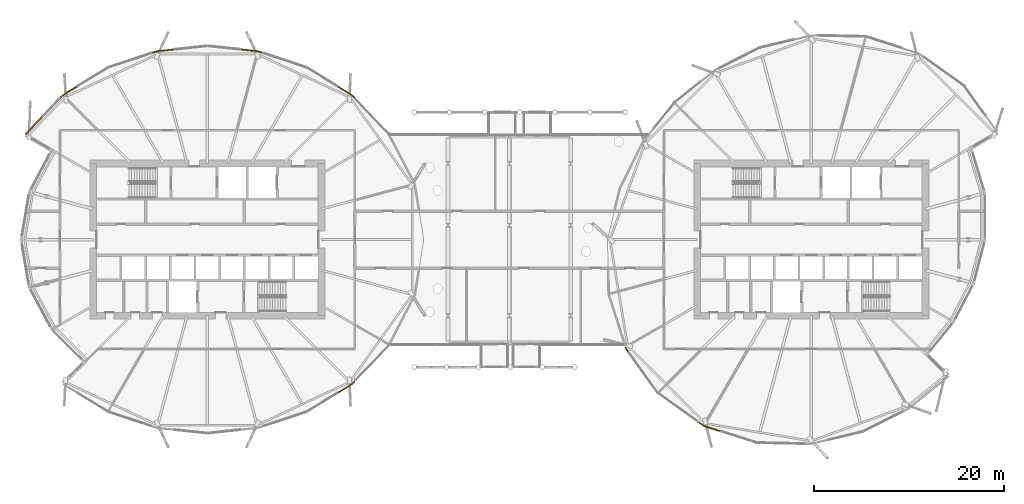
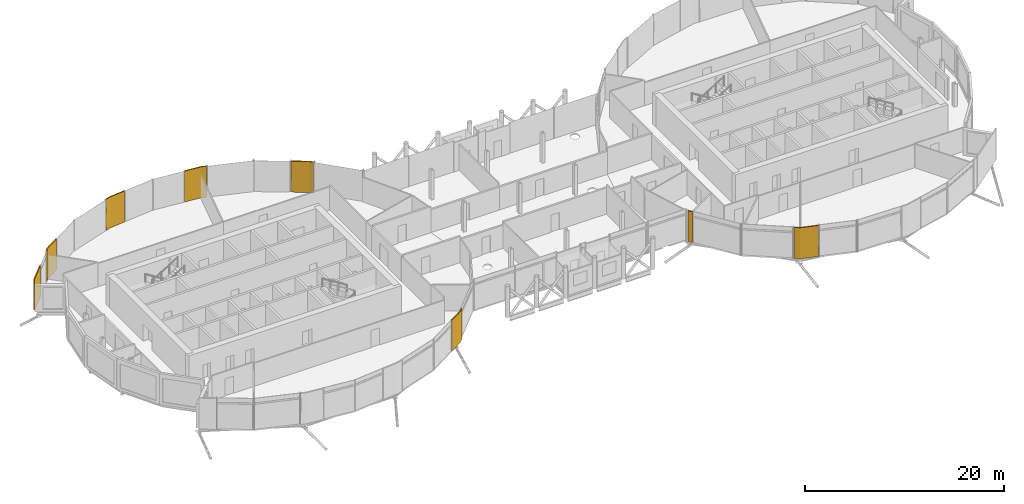
# One storey, part 37 of 39: 8 coverings.
"""IFC4 building model written with IfcOpenShell, lengths in metres."""

from ifc_helpers import new_model, si_unit, direction, frame, origin, place, context, subcontext, project, spatial, polyline, outline, extrude, material, layer, layer_set, type_object, element, save


model = new_model("IFC4")

# Units and contexts
model_context = context("Model", 3, precision=1e-05, world=origin(), true_north=direction((0.0, 1.0)))
body_context = subcontext(model_context, "Body", "Model", "MODEL_VIEW")
ifc_project = project(units=[si_unit("LENGTHUNIT", "METRE"), si_unit("AREAUNIT", "SQUARE_METRE"), si_unit("VOLUMEUNIT", "CUBIC_METRE"), si_unit("PLANEANGLEUNIT", "RADIAN"), si_unit("MASSUNIT", "GRAM", prefix="KILO")], contexts=[model_context])

# Site, building, storey
site_placement = place(None, origin())
site = spatial("IfcSite", under=ifc_project, at=site_placement, CompositionType="ELEMENT")
building_placement = place(site_placement, origin())
building = spatial("IfcBuilding", under=site, at=building_placement, Name="Rimbun Link Towers", CompositionType="ELEMENT")
storey_placement = place(building_placement, frame((0.0, 0.0, 143.0)))
storey = spatial("IfcBuildingStorey", under=building, at=storey_placement, Name="L34", CompositionType="ELEMENT", Elevation=143.0)

# Coverings
ifc_material = material(Name="Terracotta", Category="masonry")
ifc_layer = layer(ifc_material, 0.1201171875)
ifc_layer_set = layer_set([ifc_layer], Name="LINK PIER terracotta cladding 120")
covering_type = type_object("IfcCoveringType", Name="LINK PIER terracotta cladding 120", PredefinedType="CLADDING", material=ifc_layer_set)
covering_1_placement = place(storey_placement, origin())
element("IfcCovering", 1, at=covering_1_placement, inside=storey, type_object=covering_type, Name="LINK PIER cladding", PredefinedType="CLADDING", context=body_context, shape_type="SweptSolid", body=[
    extrude(outline(polyline([(-18.104248046875, 16.080322265625), (-16.595703125, 15.154296875), (-16.23583984375, 14.77880859375), (-16.1494140625, 14.86181640625), (-16.519775390625, 15.248291015625), (-18.04150390625, 16.1826171875), (-18.104248046875, 16.080322265625)])), origin(), (0.0, 0.0, 1.0), 3.800048828125),
])
covering_2_placement = place(storey_placement, origin())
element("IfcCovering", 2, at=covering_2_placement, inside=storey, type_object=covering_type, Name="LINK PIER cladding", PredefinedType="CLADDING", context=body_context, shape_type="SweptSolid", body=[
    extrude(outline(polyline([(-28.265869140625, 19.94873046875), (-26.455810546875, 19.758056640625), (-25.914794921875, 19.57861328125), (-25.877197265625, 19.692626953125), (-26.430419921875, 19.8759765625), (-28.25341796875, 20.06787109375), (-28.265869140625, 19.94873046875)])), origin(), (0.0, 0.0, 1.0), 3.800048828125),
])
covering_3_placement = place(storey_placement, origin())
element("IfcCovering", 3, at=covering_3_placement, inside=storey, type_object=covering_type, Name="LINK PIER cladding", PredefinedType="CLADDING", context=body_context, shape_type="SweptSolid", body=[
    extrude(outline(polyline([(-37.585205078125, 19.57861328125), (-37.044189453125, 19.758056640625), (-35.234130859375, 19.94873046875), (-35.24658203125, 20.06787109375), (-37.069580078125, 19.8759765625), (-37.622802734375, 19.692626953125), (-37.585205078125, 19.57861328125)])), origin(), (0.0, 0.0, 1.0), 3.800048828125),
])
covering_4_placement = place(storey_placement, origin())
element("IfcCovering", 4, at=covering_4_placement, inside=storey, type_object=covering_type, Name="LINK PIER cladding", PredefinedType="CLADDING", context=body_context, shape_type="SweptSolid", body=[
    extrude(outline(polyline([(-50.8359375, 11.052978515625), (-49.043701171875, 12.922607421875), (-49.13037109375, 13.005615234375), (-50.922607421875, 11.135986328125), (-50.8359375, 11.052978515625)])), origin(), (0.0, 0.0, 1.0), 3.800048828125),
])
covering_5_placement = place(storey_placement, origin())
element("IfcCovering", 5, at=covering_5_placement, inside=storey, type_object=covering_type, Name="LINK PIER cladding", PredefinedType="CLADDING", context=body_context, shape_type="SweptSolid", body=[
    extrude(outline(polyline([(-47.26416015625, 14.77880859375), (-46.904296875, 15.154296875), (-45.353271484375, 16.1064453125), (-45.416015625, 16.208740234375), (-46.980224609375, 15.248291015625), (-47.3505859375, 14.86181640625), (-47.26416015625, 14.77880859375)])), origin(), (0.0, 0.0, 1.0), 3.800048828125),
])
covering_6_placement = place(storey_placement, origin())
element("IfcCovering", 6, at=covering_6_placement, inside=storey, type_object=covering_type, Name="LINK PIER cladding", PredefinedType="CLADDING", context=body_context, shape_type="SweptSolid", body=[
    extrude(outline(polyline([(-16.23583984375, -14.77880859375), (-16.595703125, -15.154296875), (-18.104248046875, -16.080322265625), (-18.04150390625, -16.1826171875), (-16.519775390625, -15.248291015625), (-16.1494140625, -14.86181640625), (-16.23583984375, -14.77880859375)])), origin(), (0.0, 0.0, 1.0), 3.800048828125),
])
covering_7_placement = place(storey_placement, origin())
element("IfcCovering", 7, at=covering_7_placement, inside=storey, type_object=covering_type, Name="LINK PIER cladding", PredefinedType="CLADDING", context=body_context, shape_type="SweptSolid", body=[
    extrude(outline(polyline([(12.54296875, -11.744140625), (12.228271484375, -11.305419921875), (12.130615234375, -11.375244140625), (12.445556640625, -11.81396484375), (12.54296875, -11.744140625)])), origin(), (0.0, 0.0, 1.0), 3.800048828125),
])
covering_8_placement = place(storey_placement, origin())
element("IfcCovering", 8, at=covering_8_placement, inside=storey, type_object=covering_type, Name="LINK PIER cladding", PredefinedType="CLADDING", context=body_context, shape_type="SweptSolid", body=[
    extrude(outline(polyline([(22.2509765625, -20.10595703125), (20.468994140625, -19.539306640625), (19.96533203125, -19.177734375), (19.895263671875, -19.275390625), (20.41455078125, -19.64794921875), (22.214599609375, -20.220458984375), (22.2509765625, -20.10595703125)])), origin(), (0.0, 0.0, 1.0), 3.800048828125),
])

save(model, "model.ifc")
